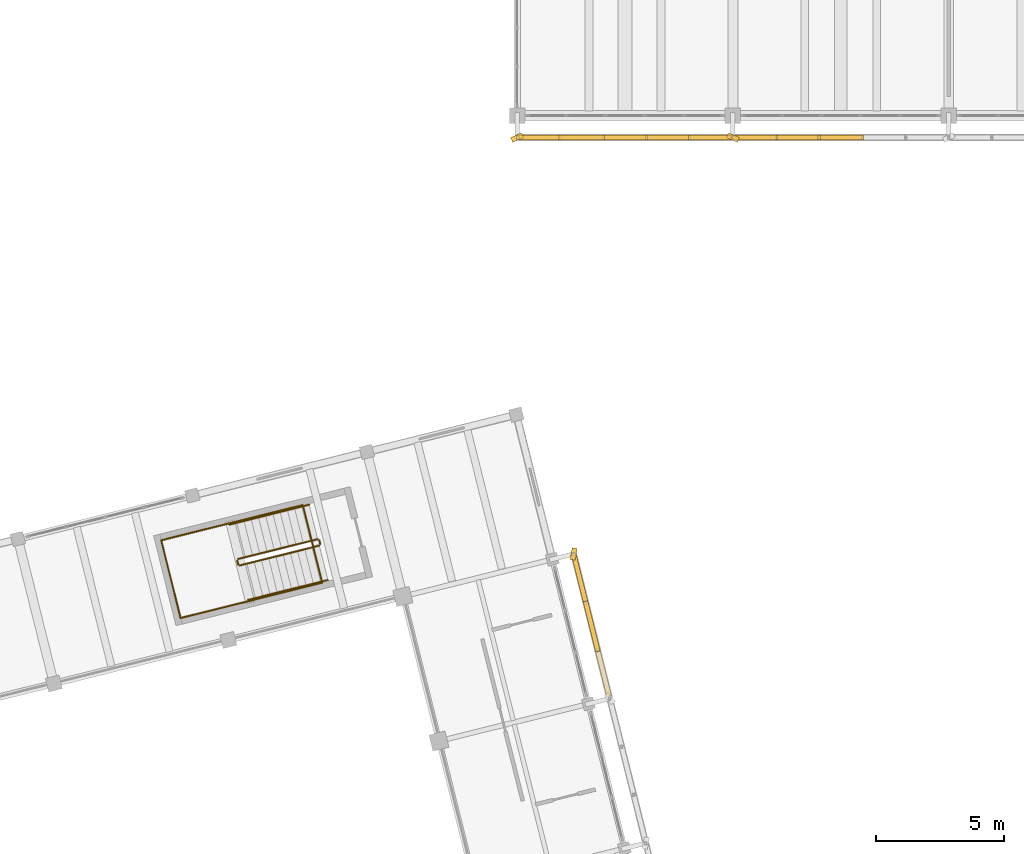
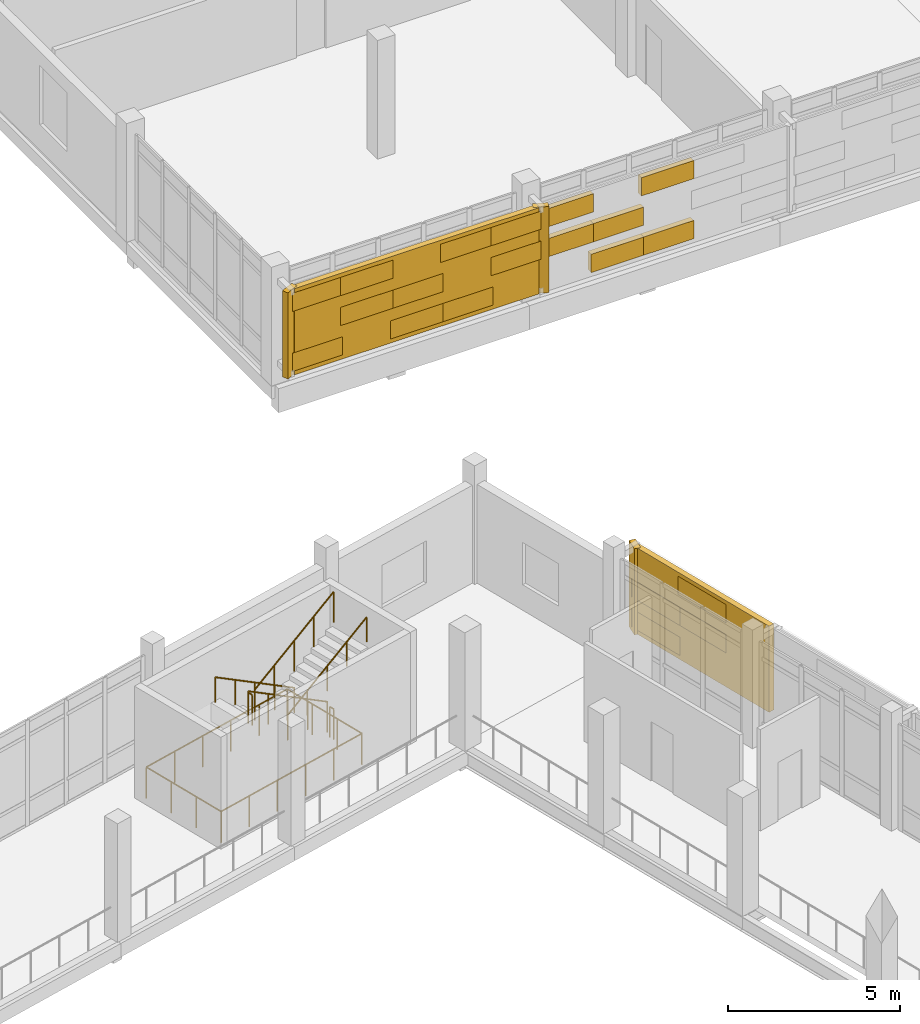
# One storey, part 129 of 137: 23 coverings, 10 railings, 2 shading devices.
"""IFC4 building model written with IfcOpenShell, lengths in metres."""

from ifc_helpers import new_model, si_unit, direction, frame, origin, origin_2d, place, context, subcontext, project, spatial, rectangle, circle, extrude, material, layer, layer_set, type_object, element, save


model = new_model("IFC4")

# Units and contexts
model_context = context("Model", 3, precision=1e-05, world=origin(), true_north=direction((0.0, 1.0)))
body_context = subcontext(model_context, "Body", "Model", "MODEL_VIEW")
ifc_project = project(units=[si_unit("LENGTHUNIT", "METRE"), si_unit("AREAUNIT", "SQUARE_METRE"), si_unit("VOLUMEUNIT", "CUBIC_METRE"), si_unit("PLANEANGLEUNIT", "RADIAN"), si_unit("MASSUNIT", "GRAM", prefix="KILO")], contexts=[model_context])

# Site, building, storey
site_placement = place(None, origin())
site = spatial("IfcSite", under=ifc_project, at=site_placement, CompositionType="ELEMENT")
building_placement = place(site_placement, origin())
building = spatial("IfcBuilding", under=site, at=building_placement, Name="Cinderway Yard Community Centre", CompositionType="ELEMENT")
storey_placement = place(building_placement, frame((0.0, 0.0, 4.800048828125)))
storey = spatial("IfcBuildingStorey", under=building, at=storey_placement, Name="L01", CompositionType="ELEMENT", Elevation=4.800048828125)

# Coverings
ifc_material_1 = material(Name="Brick Masonry", Category="masonry")
ifc_layer = layer(ifc_material_1, 0.18994140625, Name="Brick Masonry")
ifc_layer_set = layer_set([ifc_layer], Name="Brick Masonry")
covering_type = type_object("IfcCoveringType", Name="ENV-COV-BRK-SCREEN", PredefinedType="CLADDING", material=ifc_layer_set)
for number, where, z_axis, x_axis, name in (
    (1, (41.60009765625, 89.14990234375, 0.64990234375), (0.0, 0.0, 1.0), (-0.913545457643, -0.406736643076, 0.0), "Deconstructivist folded brick fin 0434"),
    (2, (50.0, 89.14990234375, 0.64990234375), (0.0, 0.0, 1.0), (-0.913545457643, 0.406736643076, 0.0), "Deconstructivist folded brick fin 0435"),
):
    element("IfcCovering", number, at=place(storey_placement, frame(where, z_axis=z_axis, x_axis=x_axis)), inside=storey, type_object=covering_type, Name=name, PredefinedType="CLADDING", context=body_context, shape_type="SweptSolid", body=[
        extrude(rectangle(XDim=0.4599609375, YDim=0.199951171875, at=origin_2d()), origin(), (0.0, 0.0, 1.0), 3.050048828125),
    ])
for number, where, z_axis, x_axis, name in (
    (3, (42.43994140625, 89.14990234375, 0.7900390625), (0.0, 0.0, 1.0), (-1.0, 0.0, 0.0), "Open-bond perforated brick screen course 00447"),
    (4, (45.800048828125, 89.14990234375, 0.7900390625), (0.0, 0.0, 1.0), (-1.0, 0.0, 0.0), "Open-bond perforated brick screen course 00448"),
    (5, (47.47998046875, 89.14990234375, 0.7900390625), (0.0, 0.0, 1.0), (-1.0, 0.0, 0.0), "Open-bond perforated brick screen course 00449"),
    (6, (44.1201171875, 89.14990234375, 1.85205078125), (0.0, 0.0, 1.0), (-1.0, 0.0, 0.0), "Open-bond perforated brick screen course 00450"),
    (7, (45.800048828125, 89.14990234375, 1.85205078125), (0.0, 0.0, 1.0), (-1.0, 0.0, 0.0), "Open-bond perforated brick screen course 00451"),
    (8, (49.159912109375, 89.14990234375, 1.85205078125), (0.0, 0.0, 1.0), (-1.0, 0.0, 0.0), "Open-bond perforated brick screen course 00452"),
    (9, (42.43994140625, 89.14990234375, 2.9140625), (0.0, 0.0, 1.0), (-1.0, 0.0, 0.0), "Open-bond perforated brick screen course 00453"),
    (10, (44.1201171875, 89.14990234375, 2.9140625), (0.0, 0.0, 1.0), (-1.0, 0.0, 0.0), "Open-bond perforated brick screen course 00454"),
    (11, (47.47998046875, 89.14990234375, 2.9140625), (0.0, 0.0, 1.0), (-1.0, 0.0, 0.0), "Open-bond perforated brick screen course 00455"),
    (12, (49.159912109375, 89.14990234375, 2.9140625), (0.0, 0.0, 1.0), (-1.0, 0.0, 0.0), "Open-bond perforated brick screen course 00456"),
    (13, (52.52001953125, 89.14990234375, 0.7900390625), (0.0, 0.0, 1.0), (-1.0, 0.0, 0.0), "Open-bond perforated brick screen course 00457"),
    (14, (54.199951171875, 89.14990234375, 0.7900390625), (0.0, 0.0, 1.0), (-1.0, 0.0, 0.0), "Open-bond perforated brick screen course 00458"),
    (15, (50.840087890625, 89.14990234375, 1.85205078125), (0.0, 0.0, 1.0), (-1.0, 0.0, 0.0), "Open-bond perforated brick screen course 00460"),
    (16, (52.52001953125, 89.14990234375, 1.85205078125), (0.0, 0.0, 1.0), (-1.0, 0.0, 0.0), "Open-bond perforated brick screen course 00461"),
    (17, (50.840087890625, 89.14990234375, 2.9140625), (0.0, 0.0, 1.0), (-1.0, 0.0, 0.0), "Open-bond perforated brick screen course 00464"),
    (18, (54.199951171875, 89.14990234375, 2.9140625), (0.0, 0.0, 1.0), (-1.0, 0.0, 0.0), "Open-bond perforated brick screen course 00465"),
):
    element("IfcCovering", number, at=place(storey_placement, frame(where, z_axis=z_axis, x_axis=x_axis)), inside=storey, type_object=covering_type, Name=name, PredefinedType="CLADDING", context=body_context, shape_type="SweptSolid", body=[
        extrude(rectangle(XDim=1.760009765625, YDim=0.18994140625, at=origin_2d()), origin(), (0.0, 0.0, 1.0), 0.64599609375),
    ])
covering_placement = place(storey_placement, frame((43.802001953125, 72.94189453125, 0.64990234375), z_axis=(0.0, 0.0, 1.0), x_axis=(-0.173648177667, -0.984807753012, 0.0)))
element("IfcCovering", 19, at=covering_placement, inside=storey, type_object=covering_type, Name="Deconstructivist folded brick fin 1070", PredefinedType="CLADDING", context=body_context, shape_type="SweptSolid", body=[
    extrude(rectangle(XDim=0.4599609375, YDim=0.199951171875, at=origin_2d()), origin(), (0.0, 0.0, 1.0), 3.050048828125),
])
for number, where, z_axis, x_axis, name in (
    (20, (44.035888671875, 72.00390625, 0.7900390625), (0.0, 0.0, 1.0), (0.2419218956, -0.970295726276, 0.0), "Open-bond perforated brick screen course 01108"),
    (21, (44.50390625, 70.1279296875, 1.85205078125), (0.0, 0.0, 1.0), (0.2419218956, -0.970295726276, 0.0), "Open-bond perforated brick screen course 01109"),
    (22, (44.035888671875, 72.00390625, 1.85205078125), (0.0, 0.0, 1.0), (0.2419218956, -0.970295726276, 0.0), "Open-bond perforated brick screen course 01110"),
    (23, (44.50390625, 70.1279296875, 2.9140625), (0.0, 0.0, 1.0), (0.2419218956, -0.970295726276, 0.0), "Open-bond perforated brick screen course 01112"),
):
    element("IfcCovering", number, at=place(storey_placement, frame(where, z_axis=z_axis, x_axis=x_axis)), inside=storey, type_object=covering_type, Name=name, PredefinedType="CLADDING", context=body_context, shape_type="SweptSolid", body=[
        extrude(rectangle(XDim=2.012939453125, YDim=0.18994140625, at=origin_2d()), origin(), (0.0, 0.0, 1.0), 0.64599609375),
    ])

# Shading devices
shading_device_type_1 = type_object("IfcShadingDeviceType", Name="ENV-SHD-BRICKSCREEN-A", PredefinedType="USERDEFINED", material=ifc_material_1)
shading_device_1_placement = place(storey_placement, frame((45.800048828125, 89.14990234375, 0.64990234375), z_axis=(0.0, 0.0, 1.0), x_axis=(-1.0, 0.0, 0.0)))
element("IfcShadingDevice", 24, at=shading_device_1_placement, inside=storey, type_object=shading_device_type_1, Name="V4 Courtyard Perforated Brick Screen 0325", ObjectType="PERFORATED BRICK SCREEN", PredefinedType="USERDEFINED", context=body_context, shape_type="SweptSolid", body=[
    extrude(rectangle(XDim=8.199951171875, YDim=0.18994140625, at=origin_2d()), origin(), (0.0, 0.0, 1.0), 3.050048828125),
])
shading_device_type_2 = type_object("IfcShadingDeviceType", Name="ENV-SHD-BRICKSCREEN-B", PredefinedType="USERDEFINED", material=ifc_material_1)
shading_device_2_placement = place(storey_placement, frame((44.50390625, 70.1279296875, 0.64990234375), z_axis=(0.0, 0.0, 1.0), x_axis=(0.2419218956, -0.970295726276, 0.0)))
element("IfcShadingDevice", 25, at=shading_device_2_placement, inside=storey, type_object=shading_device_type_2, Name="Main Hall Courtyard Perforated Brick Screen 0825", ObjectType="PERFORATED BRICK SCREEN", PredefinedType="USERDEFINED", context=body_context, shape_type="SweptSolid", body=[
    extrude(rectangle(XDim=5.60009765625, YDim=0.18994140625, at=origin_2d()), origin(), (0.0, 0.0, 1.0), 3.050048828125),
])

# Railings
ifc_material_2 = material(Name="Painted Galvanised Steel", Category="steel")
railing_type_1 = type_object("IfcRailingType", Name="INT-RAL-GRD112", PredefinedType="GUARDRAIL", material=ifc_material_2)
railing_1_placement = place(storey_placement, frame((33.8369140625, 73.5185546875, 0.175048828125)))
element("IfcRailing", 26, at=railing_1_placement, inside=storey, type_object=railing_type_1, Name="L01 ST-06 stair guard 1", PredefinedType="GUARDRAIL", context=body_context, shape_type="SweptSolid", body=[
    extrude(circle(Radius=0.02392578125, at=origin_2d()), frame((0.0, 0.0, 1.076171875), z_axis=(-0.83076418641, -0.207199586483, 0.516622877872), x_axis=(0.241995358927, -0.970277406857, 0.0)), (0.0, 0.0, 1.0), 3.725830078125),
    extrude(circle(Radius=0.02099609375, at=origin_2d()), origin(), (0.0, 0.0, 1.0), 1.052001953125),
    extrude(circle(Radius=0.02099609375, at=origin_2d()), frame((-0.77392578125, -0.19287109375, 0.481201171875)), (0.0, 0.0, 1.0), 1.052001953125),
    extrude(circle(Radius=0.02099609375, at=origin_2d()), frame((-1.547607421875, -0.385986328125, 0.96240234375)), (0.0, 0.0, 1.0), 1.052001953125),
    extrude(circle(Radius=0.02099609375, at=origin_2d()), frame((-2.3212890625, -0.5791015625, 1.443603515625)), (0.0, 0.0, 1.0), 1.052001953125),
    extrude(circle(Radius=0.02099609375, at=origin_2d()), frame((-3.09521484375, -0.77197265625, 1.9248046875)), (0.0, 0.0, 1.0), 1.052001953125),
])
railing_2_placement = place(storey_placement, frame((30.705322265625, 72.68603515625, 2.099853515625)))
element("IfcRailing", 27, at=railing_2_placement, inside=storey, type_object=railing_type_1, Name="L01 ST-06 stair guard 2", PredefinedType="GUARDRAIL", context=body_context, shape_type="SweptSolid", body=[
    extrude(circle(Radius=0.02392578125, at=origin_2d()), frame((0.0, 0.0, 1.076171875), z_axis=(0.241099176539, -0.970500482778, 0.0), x_axis=(0.970500482778, 0.241099176539, 0.0)), (0.0, 0.0, 1.0), 0.159912109375),
    extrude(circle(Radius=0.02099609375, at=origin_2d()), origin(), (0.0, 0.0, 1.0), 1.052001953125),
    extrude(circle(Radius=0.02099609375, at=origin_2d()), frame((0.03857421875, -0.1552734375, 0.0)), (0.0, 0.0, 1.0), 1.052001953125),
])
railing_3_placement = place(storey_placement, frame((30.8046875, 72.494384765625, 2.27490234375)))
element("IfcRailing", 28, at=railing_3_placement, inside=storey, type_object=railing_type_1, Name="L01 ST-06 stair guard 3", PredefinedType="GUARDRAIL", context=body_context, shape_type="SweptSolid", body=[
    extrude(circle(Radius=0.02392578125, at=origin_2d()), frame((0.0, 0.0, 1.076171875), z_axis=(0.830747338868, 0.207129857877, 0.516677927668), x_axis=(-0.241923306424, 0.970295374517, 0.0)), (0.0, 0.0, 1.0), 3.725830078125),
    extrude(circle(Radius=0.02099609375, at=origin_2d()), origin(), (0.0, 0.0, 1.0), 1.052001953125),
    extrude(circle(Radius=0.02099609375, at=origin_2d()), frame((0.77392578125, 0.19287109375, 0.481201171875)), (0.0, 0.0, 1.0), 1.052001953125),
    extrude(circle(Radius=0.02099609375, at=origin_2d()), frame((1.547607421875, 0.3857421875, 0.96240234375)), (0.0, 0.0, 1.0), 1.052001953125),
    extrude(circle(Radius=0.02099609375, at=origin_2d()), frame((2.3212890625, 0.578857421875, 1.44384765625)), (0.0, 0.0, 1.0), 1.052001953125),
    extrude(circle(Radius=0.02099609375, at=origin_2d()), frame((3.09521484375, 0.771728515625, 1.925048828125)), (0.0, 0.0, 1.0), 1.052001953125),
])
railing_4_placement = place(storey_placement, frame((33.8974609375, 73.48193359375, 0.0)))
element("IfcRailing", 29, at=railing_4_placement, inside=storey, type_object=railing_type_1, Name="L01 ST-06 stair guard 4", PredefinedType="GUARDRAIL", context=body_context, shape_type="SweptSolid", body=[
    extrude(circle(Radius=0.02392578125, at=origin_2d()), frame((0.0, 0.0, 1.076171875), z_axis=(0.242535625036, -0.970142500145, 0.0), x_axis=(0.970142500145, 0.242535625036, 0.0)), (0.0, 0.0, 1.0), 0.16015625),
    extrude(circle(Radius=0.02099609375, at=origin_2d()), origin(), (0.0, 0.0, 1.0), 1.052001953125),
    extrude(circle(Radius=0.02099609375, at=origin_2d()), frame((0.038818359375, -0.1552734375, 0.0)), (0.0, 0.0, 1.0), 1.052001953125),
])
railing_5_placement = place(storey_placement, frame((33.258056640625, 74.847900390625, 0.0)))
element("IfcRailing", 30, at=railing_5_placement, inside=storey, type_object=railing_type_1, Name="Service void perimeter guard L01 058", PredefinedType="GUARDRAIL", context=body_context, shape_type="SweptSolid", body=[
    extrude(circle(Radius=0.02392578125, at=origin_2d()), frame((0.0, 0.0, 1.09619140625), z_axis=(-0.970306632859, -0.241878147481, 0.0), x_axis=(0.241878147481, -0.970306632859, 0.0)), (0.0, 0.0, 1.0), 5.6796875),
    extrude(circle(Radius=0.02099609375, at=origin_2d()), origin(), (0.0, 0.0, 1.0), 1.072021484375),
    extrude(circle(Radius=0.02099609375, at=origin_2d()), frame((-1.102294921875, -0.274658203125, 0.0)), (0.0, 0.0, 1.0), 1.072021484375),
    extrude(circle(Radius=0.02099609375, at=origin_2d()), frame((-2.204345703125, -0.549560546875, 0.0)), (0.0, 0.0, 1.0), 1.072021484375),
    extrude(circle(Radius=0.02099609375, at=origin_2d()), frame((-3.306640625, -0.82421875, 0.0)), (0.0, 0.0, 1.0), 1.072021484375),
    extrude(circle(Radius=0.02099609375, at=origin_2d()), frame((-4.40869140625, -1.09912109375, 0.0)), (0.0, 0.0, 1.0), 1.072021484375),
    extrude(circle(Radius=0.02099609375, at=origin_2d()), frame((-5.510986328125, -1.373779296875, 0.0)), (0.0, 0.0, 1.0), 1.072021484375),
])
railing_6_placement = place(storey_placement, frame((27.7470703125, 73.47412109375, 0.0)))
element("IfcRailing", 31, at=railing_6_placement, inside=storey, type_object=railing_type_1, Name="Service void perimeter guard L01 059", PredefinedType="GUARDRAIL", context=body_context, shape_type="SweptSolid", body=[
    extrude(circle(Radius=0.02392578125, at=origin_2d()), frame((0.0, 0.0, 1.09619140625), z_axis=(0.241891313435, -0.970303350754, 0.0), x_axis=(0.970303350754, 0.241891313435, 0.0)), (0.0, 0.0, 1.0), 3.120849609375),
    extrude(circle(Radius=0.02099609375, at=origin_2d()), origin(), (0.0, 0.0, 1.0), 1.072021484375),
    extrude(circle(Radius=0.02099609375, at=origin_2d()), frame((0.251708984375, -1.00927734375, 0.0)), (0.0, 0.0, 1.0), 1.072021484375),
    extrude(circle(Radius=0.02099609375, at=origin_2d()), frame((0.503173828125, -2.018798828125, 0.0)), (0.0, 0.0, 1.0), 1.072021484375),
    extrude(circle(Radius=0.02099609375, at=origin_2d()), frame((0.7548828125, -3.028076171875, 0.0)), (0.0, 0.0, 1.0), 1.072021484375),
])
railing_7_placement = place(storey_placement, frame((28.501953125, 70.446044921875, 0.0)))
element("IfcRailing", 32, at=railing_7_placement, inside=storey, type_object=railing_type_1, Name="Service void perimeter guard L01 060", PredefinedType="GUARDRAIL", context=body_context, shape_type="SweptSolid", body=[
    extrude(circle(Radius=0.02392578125, at=origin_2d()), frame((0.0, 0.0, 1.09619140625), z_axis=(0.97025617203, 0.242080483802, 0.0), x_axis=(-0.242080483802, 0.97025617203, 0.0)), (0.0, 0.0, 1.0), 5.679931640625),
    extrude(circle(Radius=0.02099609375, at=origin_2d()), origin(), (0.0, 0.0, 1.0), 1.072021484375),
    extrude(circle(Radius=0.02099609375, at=origin_2d()), frame((1.102294921875, 0.27490234375, 0.0)), (0.0, 0.0, 1.0), 1.072021484375),
    extrude(circle(Radius=0.02099609375, at=origin_2d()), frame((2.204345703125, 0.550048828125, 0.0)), (0.0, 0.0, 1.0), 1.072021484375),
    extrude(circle(Radius=0.02099609375, at=origin_2d()), frame((3.306640625, 0.824951171875, 0.0)), (0.0, 0.0, 1.0), 1.072021484375),
    extrude(circle(Radius=0.02099609375, at=origin_2d()), frame((4.40869140625, 1.10009765625, 0.0)), (0.0, 0.0, 1.0), 1.072021484375),
    extrude(circle(Radius=0.02099609375, at=origin_2d()), frame((5.510986328125, 1.375, 0.0)), (0.0, 0.0, 1.0), 1.072021484375),
])
railing_8_placement = place(storey_placement, frame((34.012939453125, 71.821044921875, 0.0)))
element("IfcRailing", 33, at=railing_8_placement, inside=storey, type_object=railing_type_1, Name="Service void perimeter guard L01 061", PredefinedType="GUARDRAIL", context=body_context, shape_type="SweptSolid", body=[
    extrude(circle(Radius=0.02392578125, at=origin_2d()), frame((0.0, 0.0, 1.09619140625), z_axis=(-0.241983154801, 0.970280450588, 0.0), x_axis=(-0.970280450588, -0.241983154801, 0.0)), (0.0, 0.0, 1.0), 3.11962890625),
    extrude(circle(Radius=0.02099609375, at=origin_2d()), origin(), (0.0, 0.0, 1.0), 1.072021484375),
    extrude(circle(Radius=0.02099609375, at=origin_2d()), frame((-0.251708984375, 1.009033203125, 0.0)), (0.0, 0.0, 1.0), 1.072021484375),
    extrude(circle(Radius=0.02099609375, at=origin_2d()), frame((-0.503173828125, 2.017822265625, 0.0)), (0.0, 0.0, 1.0), 1.072021484375),
    extrude(circle(Radius=0.02099609375, at=origin_2d()), frame((-0.7548828125, 3.02685546875, 0.0)), (0.0, 0.0, 1.0), 1.072021484375),
])
railing_type_2 = type_object("IfcRailingType", Name="INT-RAL-HND090", PredefinedType="HANDRAIL", material=ifc_material_2)
railing_9_placement = place(storey_placement, frame((33.503173828125, 74.857421875, 0.175048828125)))
element("IfcRailing", 34, at=railing_9_placement, inside=storey, type_object=railing_type_2, Name="L01 ST-06 stair handrail 1", PredefinedType="HANDRAIL", context=body_context, shape_type="SweptSolid", body=[
    extrude(circle(Radius=0.02392578125, at=origin_2d()), frame((0.0, 0.0, 0.8759765625), z_axis=(-0.830795764447, -0.207125594402, 0.516601767245), x_axis=(0.2419053424, -0.970299853302, 0.0)), (0.0, 0.0, 1.0), 3.725830078125),
    extrude(circle(Radius=0.02099609375, at=origin_2d()), origin(), (0.0, 0.0, 1.0), 0.851806640625),
    extrude(circle(Radius=0.02099609375, at=origin_2d()), frame((-0.77392578125, -0.19287109375, 0.481201171875)), (0.0, 0.0, 1.0), 0.851806640625),
    extrude(circle(Radius=0.02099609375, at=origin_2d()), frame((-1.5478515625, -0.3857421875, 0.96240234375)), (0.0, 0.0, 1.0), 0.851806640625),
    extrude(circle(Radius=0.02099609375, at=origin_2d()), frame((-2.321533203125, -0.578857421875, 1.443603515625)), (0.0, 0.0, 1.0), 0.851806640625),
    extrude(circle(Radius=0.02099609375, at=origin_2d()), frame((-3.095458984375, -0.771728515625, 1.9248046875)), (0.0, 0.0, 1.0), 0.851806640625),
])
railing_10_placement = place(storey_placement, frame((31.138427734375, 71.155517578125, 2.27490234375)))
element("IfcRailing", 35, at=railing_10_placement, inside=storey, type_object=railing_type_2, Name="L01 ST-06 stair handrail 2", PredefinedType="HANDRAIL", context=body_context, shape_type="SweptSolid", body=[
    extrude(circle(Radius=0.02392578125, at=origin_2d()), frame((0.0, 0.0, 0.8759765625), z_axis=(0.830747338868, 0.207129857877, 0.516677927668), x_axis=(-0.241923306424, 0.970295374517, 0.0)), (0.0, 0.0, 1.0), 3.725830078125),
    extrude(circle(Radius=0.02099609375, at=origin_2d()), origin(), (0.0, 0.0, 1.0), 0.851806640625),
    extrude(circle(Radius=0.02099609375, at=origin_2d()), frame((0.77392578125, 0.19287109375, 0.481201171875)), (0.0, 0.0, 1.0), 0.851806640625),
    extrude(circle(Radius=0.02099609375, at=origin_2d()), frame((1.547607421875, 0.3857421875, 0.96240234375)), (0.0, 0.0, 1.0), 0.851806640625),
    extrude(circle(Radius=0.02099609375, at=origin_2d()), frame((2.3212890625, 0.578857421875, 1.44384765625)), (0.0, 0.0, 1.0), 0.851806640625),
    extrude(circle(Radius=0.02099609375, at=origin_2d()), frame((3.09521484375, 0.771728515625, 1.925048828125)), (0.0, 0.0, 1.0), 0.851806640625),
])

save(model, "model.ifc")
